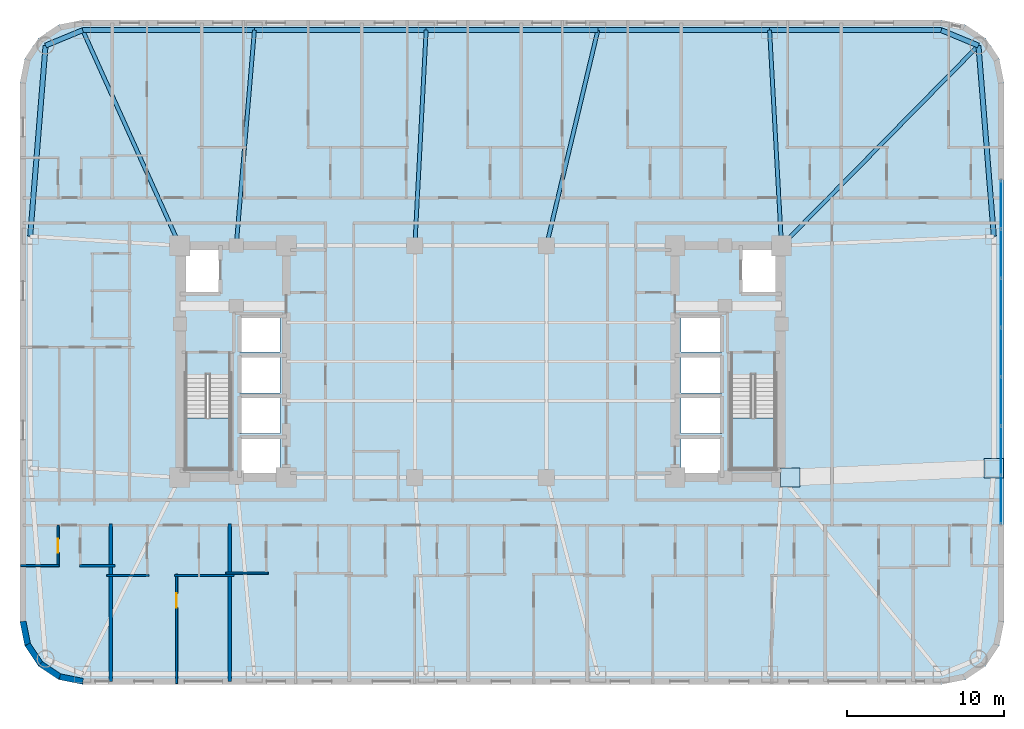
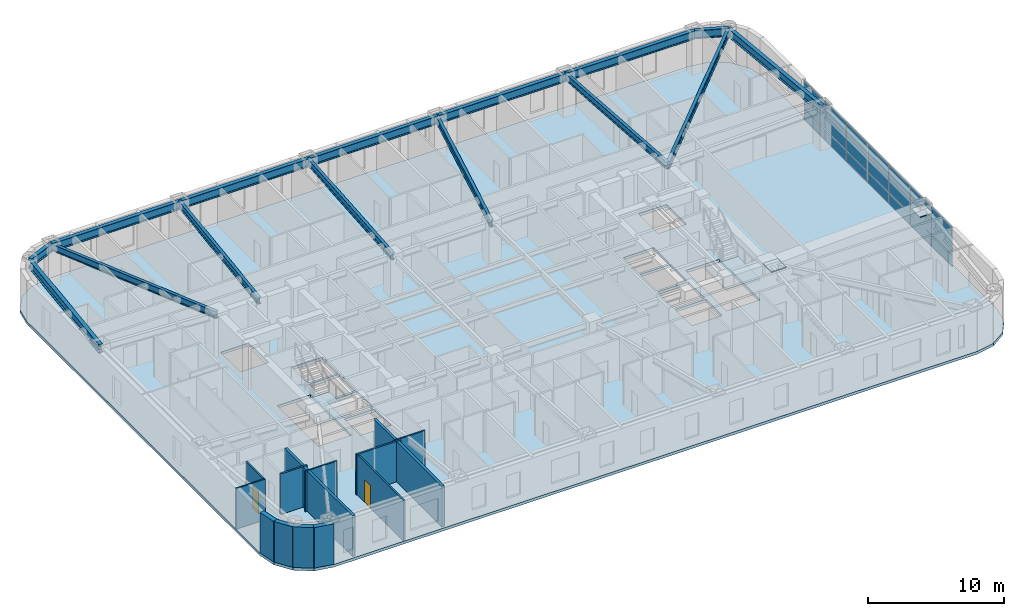
# One storey, part 6 of 16: 16 plates, 15 beams, 13 walls, 3 slabs, 2 doors, 2 openings, 3 elements without a shape of their own.
"""IFC4 building model written with IfcOpenShell, lengths in metres."""

import ifcopenshell
import ifcopenshell.guid

model = None  # the IFC model being written
_history = None  # IfcOwnerHistory: only IFC2X3 demands one
_inside = {}  # id of a spatial element -> (the spatial element, [elements in it])
_under = {}  # id of a project, library or spatial element -> (it, [spatial elements below it])
_declared = {}  # id of a project -> (the project, [libraries it declares])
_typed = {}  # id of a type object -> (the type object, [elements of that type])
_made_of = {}  # id of a material, layer set ... -> (it, [elements and type objects made of it])


def new_model(schema):
    """Start an empty IFC model of exactly this schema.

    Asked for "IFC4X3", IfcOpenShell would pick the latest addendum, in which some entities
    have other attributes; the version numbers below select the first issue.
    IFC2X3 requires an IfcOwnerHistory on every rooted entity: one is made here for all.
    """
    global model, _history
    if schema == "IFC4X3":
        model = ifcopenshell.file(schema_version=(4, 3, 0, 0))
    else:
        model = ifcopenshell.file(schema=schema)
    _inside.clear()
    _under.clear()
    _declared.clear()
    _typed.clear()
    _made_of.clear()
    _history = None
    if model.schema == "IFC2X3":
        org = make("IfcOrganization", Name="unknown")
        user = make(
            "IfcPersonAndOrganization",
            ThePerson=make("IfcPerson", FamilyName="unknown"),
            TheOrganization=org,
        )
        app = make(
            "IfcApplication",
            ApplicationDeveloper=org,
            Version="unknown",
            ApplicationFullName="unknown",
            ApplicationIdentifier="unknown",
        )
        _history = make(
            "IfcOwnerHistory",
            OwningUser=user,
            OwningApplication=app,
            ChangeAction="ADDED",
            CreationDate=0,
        )
    return model


def make(cls, **values):
    """One entity of the class cls with the attributes given. An attribute that is None is left unset."""
    return model.create_entity(
        cls, **{name: value for name, value in values.items() if value is not None}
    )


def rooted(cls, **values):
    """An entity with a GlobalId (a new one), such as an element, a storey or a relation."""
    return make(cls, GlobalId=ifcopenshell.guid.new(), OwnerHistory=_history, **values)


def si_unit(unit_type, name, prefix=None):
    """IfcSIUnit, for example si_unit("LENGTHUNIT", "METRE", prefix="MILLI")."""
    return make("IfcSIUnit", UnitType=unit_type, Prefix=prefix, Name=name)


def assignment(units):
    """IfcUnitAssignment: the units of a project."""
    return None if units is None else make("IfcUnitAssignment", Units=units)


def point(xyz):
    """IfcCartesianPoint."""
    return None if xyz is None else make("IfcCartesianPoint", Coordinates=xyz)


def direction(xyz):
    """IfcDirection."""
    return None if xyz is None else make("IfcDirection", DirectionRatios=xyz)


def frame(location, z_axis=None, x_axis=None):
    """IfcAxis2Placement3D, a coordinate frame: its origin and axes. An axis left out is left unset."""
    return make(
        "IfcAxis2Placement3D",
        Location=point(location),
        Axis=direction(z_axis),
        RefDirection=direction(x_axis),
    )


def frame_2d(location, x_axis=None):
    """IfcAxis2Placement2D, a coordinate frame in the plane: its origin and x axis."""
    return make(
        "IfcAxis2Placement2D", Location=point(location), RefDirection=direction(x_axis)
    )


def origin():
    """The frame at (0, 0, 0) with its axes left unset."""
    return frame((0.0, 0.0, 0.0))


def origin_2d():
    """The frame at (0, 0) in the plane with its x axis left unset."""
    return frame_2d((0.0, 0.0))


def place(relative_to, where):
    """IfcLocalPlacement: puts the frame where relative to a parent placement (None: the world)."""
    return make(
        "IfcLocalPlacement", PlacementRelTo=relative_to, RelativePlacement=where
    )


def context(
    kind, dimensions, precision=None, world=None, true_north=None, identifier=None
):
    """IfcGeometricRepresentationContext, for example the 3D "Model" context."""
    return make(
        "IfcGeometricRepresentationContext",
        ContextIdentifier=identifier,
        ContextType=kind,
        CoordinateSpaceDimension=dimensions,
        Precision=precision,
        WorldCoordinateSystem=world,
        TrueNorth=true_north,
    )


def subcontext(parent, identifier, kind, view, scale=None):
    """IfcGeometricRepresentationSubContext, for example "Body" below "Model"."""
    return make(
        "IfcGeometricRepresentationSubContext",
        ContextIdentifier=identifier,
        ContextType=kind,
        ParentContext=parent,
        TargetScale=scale,
        TargetView=view,
    )


def project(units=None, contexts=None):
    """IfcProject with its units and contexts."""
    return rooted(
        "IfcProject",
        Name="project",
        RepresentationContexts=contexts,
        UnitsInContext=assignment(units),
    )


def spatial(cls, under=None, at=None, **own):
    """A site, building, storey or space (cls), placed at a placement, below another one or the project."""
    s = rooted(cls, ObjectPlacement=at, **own)
    if under is not None:
        _under.setdefault(under.id(), (under, []))[1].append(s)
    return s


def polyline(points):
    """IfcPolyline through the points."""
    return make("IfcPolyline", Points=[point(p) for p in points])


def profile(cls, at=None, kind="AREA", **sizes):
    """A parametric profile (cls). Its sizes go by their IFC names, for example OverallWidth=200.0."""
    return make(cls, ProfileType=kind, Position=at, **sizes)


def rectangle(**sizes):
    """IfcRectangleProfileDef."""
    return profile("IfcRectangleProfileDef", **sizes)


def i_section(**sizes):
    """IfcIShapeProfileDef."""
    return profile("IfcIShapeProfileDef", **sizes)


def outline(outer, holes=None, kind="AREA"):
    """IfcArbitraryClosedProfileDef: a profile drawn as a closed curve; with holes, ...WithVoids."""
    if holes is None:
        return make("IfcArbitraryClosedProfileDef", ProfileType=kind, OuterCurve=outer)
    return make(
        "IfcArbitraryProfileDefWithVoids",
        ProfileType=kind,
        OuterCurve=outer,
        InnerCurves=holes,
    )


def extrude(swept, where, along, depth):
    """IfcExtrudedAreaSolid: the profile swept, set in the frame where, extruded along a direction by depth."""
    return make(
        "IfcExtrudedAreaSolid",
        SweptArea=swept,
        Position=where,
        ExtrudedDirection=direction(along),
        Depth=depth,
    )


def shape(context_of_items, identifier, shape_type, items):
    """IfcShapeRepresentation: the items that make up one representation, for example the "Body"."""
    return make(
        "IfcShapeRepresentation",
        ContextOfItems=context_of_items,
        RepresentationIdentifier=identifier,
        RepresentationType=shape_type,
        Items=items,
    )


def material(Name=None, Category=None):
    """IfcMaterial."""
    return make("IfcMaterial", Name=Name, Category=Category)


def layer(
    of_material, thickness, ventilated=None, Name=None, Category=None, Priority=None
):
    """IfcMaterialLayer: one layer of a wall or slab, of a material (None: an air gap)."""
    return make(
        "IfcMaterialLayer",
        Material=of_material,
        LayerThickness=thickness,
        IsVentilated=ventilated,
        Name=Name,
        Category=Category,
        Priority=Priority,
    )


def layer_set(layers, Name=None):
    """IfcMaterialLayerSet."""
    return make("IfcMaterialLayerSet", MaterialLayers=layers, LayerSetName=Name)


def material_profile(
    of_material, cross_section, Name=None, Category=None, Priority=None
):
    """IfcMaterialProfile: a cross section and its material."""
    return make(
        "IfcMaterialProfile",
        Name=Name,
        Material=of_material,
        Profile=cross_section,
        Priority=Priority,
        Category=Category,
    )


def profile_set(profiles, Name=None, composite=None):
    """IfcMaterialProfileSet."""
    return make(
        "IfcMaterialProfileSet",
        Name=Name,
        MaterialProfiles=profiles,
        CompositeProfile=composite,
    )


def made_of(thing, what):
    """Note that an element or type object is made of a material, layer set ...; save() writes the relation."""
    if what is not None:
        _made_of.setdefault(what.id(), (what, []))[1].append(thing)
    return thing


def type_object(cls, material=None, **own):
    """A type object (cls), such as IfcWallType, which elements share."""
    return made_of(rooted(cls, **own), material)


def element(
    cls,
    number,
    at=None,
    inside=None,
    cuts=None,
    type_object=None,
    material=None,
    context=None,
    identifier="Body",
    shape_type=None,
    held_by="IfcProductDefinitionShape",
    body=None,
    shapes=None,
    **own,
):
    """One element of the class cls, such as IfcWall. Its Tag is "e" and its number.

    at: its placement. inside: the storey or other place that contains it. cuts: it is an
    opening in that element (IfcRelVoidsElement). A single representation is given by context,
    identifier, shape_type and body (its items); several are given by shapes. held_by: the class
    of the entity that holds the representations. save() writes the other relations.
    """
    e = rooted(cls, Tag="e%d" % number, ObjectPlacement=at, **own)
    if body is not None:
        shapes = [shape(context, identifier, shape_type, body)]
    if shapes is not None:
        e.Representation = make(held_by, Representations=shapes)
    if inside is not None:
        _inside.setdefault(inside.id(), (inside, []))[1].append(e)
    if cuts is not None:
        rooted(
            "IfcRelVoidsElement", RelatingBuildingElement=cuts, RelatedOpeningElement=e
        )
    if type_object is not None:
        _typed.setdefault(type_object.id(), (type_object, []))[1].append(e)
    return made_of(e, material)


def fill(opening, filler):
    """IfcRelFillsElement: the door or window that sits in an opening."""
    return rooted(
        "IfcRelFillsElement",
        RelatingOpeningElement=opening,
        RelatedBuildingElement=filler,
    )


def aggregate(whole, parts):
    """IfcRelAggregates: a whole, such as a stair, and the parts it consists of."""
    return rooted("IfcRelAggregates", RelatingObject=whole, RelatedObjects=parts)


def save(model, path):
    """Write the relations noted so far, then the file.

    IfcRelAggregates (storeys below a building ...), IfcRelContainedInSpatialStructure (elements
    in a storey), IfcRelDefinesByType, IfcRelAssociatesMaterial and IfcRelDeclares: one each for
    every whole, place, type object, material and project.
    """
    for whole, parts in _under.values():
        aggregate(whole, parts)
    for where, things in _inside.values():
        rooted(
            "IfcRelContainedInSpatialStructure",
            RelatedElements=things,
            RelatingStructure=where,
        )
    for kind, things in _typed.values():
        rooted("IfcRelDefinesByType", RelatedObjects=things, RelatingType=kind)
    for what, things in _made_of.values():
        rooted("IfcRelAssociatesMaterial", RelatedObjects=things, RelatingMaterial=what)
    for by, libraries in _declared.values():
        rooted("IfcRelDeclares", RelatingContext=by, RelatedDefinitions=libraries)
    model.write(path)


model = new_model("IFC4")

# Units and contexts
model_context = context("Model", 3, precision=1e-05, world=origin(), true_north=direction((0.0, 1.0)))
body_context = subcontext(model_context, "Body", "Model", "MODEL_VIEW")
ifc_project = project(units=[si_unit("LENGTHUNIT", "METRE"), si_unit("AREAUNIT", "SQUARE_METRE"), si_unit("VOLUMEUNIT", "CUBIC_METRE"), si_unit("PLANEANGLEUNIT", "RADIAN"), si_unit("MASSUNIT", "GRAM", prefix="KILO")], contexts=[model_context])

# Site, building, storey
site_placement = place(None, origin())
site = spatial("IfcSite", under=ifc_project, at=site_placement, CompositionType="ELEMENT")
building_placement = place(site_placement, origin())
building = spatial("IfcBuilding", under=site, at=building_placement, Name="Voryun Gate Residences", CompositionType="ELEMENT")
storey_placement = place(building_placement, frame((0.0, 0.0, 93.60009765625)))
storey = spatial("IfcBuildingStorey", under=building, at=storey_placement, Name="L22", CompositionType="ELEMENT", Elevation=93.60009765625)

# Beams
ifc_material_1 = material(Name="Steel SM355", Category="steel")
ifc_material_profile_1 = material_profile(ifc_material_1, i_section(OverallWidth=0.320068359375, OverallDepth=0.75, WebThickness=0.01611328125, FlangeThickness=0.028076171875, FilletRadius=0.01806640625, at=origin_2d()), Name="H-750x320x16x28")
ifc_profile_set_1 = profile_set([ifc_material_profile_1], Name="Steel SM355")
beam_type_1 = type_object("IfcBeamType", Name="BM_EXO_SPANDREL_L", PredefinedType="SPANDREL", material=ifc_profile_set_1)
beam_1_placement = place(storey_placement, frame((32.75, 7.998046875, 3.27490234375), z_axis=(-0.080359517973, 0.996765944378, 0.0), x_axis=(-0.996765944378, -0.080359517973, 0.0)))
element("IfcBeam", 1, at=beam_1_placement, inside=storey, type_object=beam_type_1, Name="BM-L22-SPAND-09", PredefinedType="SPANDREL", context=body_context, shape_type="SweptSolid", body=[
    extrude(i_section(OverallWidth=0.320068359375, OverallDepth=0.75, WebThickness=0.01611328125, FlangeThickness=0.028076171875, FilletRadius=0.01806640625, at=origin_2d()), origin(), (0.0, 0.0, 1.0), 12.210205078125),
])
beam_2_placement = place(storey_placement, frame((31.768798828125, 20.168701171875, 3.27490234375), z_axis=(-0.923883376753, 0.382674151414, 0.0), x_axis=(-0.382674151414, -0.923883376753, 0.0)))
element("IfcBeam", 2, at=beam_2_placement, inside=storey, type_object=beam_type_1, Name="BM-L22-SPAND-10", PredefinedType="SPANDREL", context=body_context, shape_type="SweptSolid", body=[
    extrude(i_section(OverallWidth=0.320068359375, OverallDepth=0.75, WebThickness=0.01611328125, FlangeThickness=0.028076171875, FilletRadius=0.01806640625, at=origin_2d()), origin(), (0.0, 0.0, 1.0), 2.56396484375),
])
for number, where, z_axis, x_axis, name in (
    (3, (29.39990234375, 21.14990234375, 3.27490234375), (-1.0, 0.0, 0.0), (0.0, -1.0, 0.0), "BM-L22-SPAND-11"),
    (4, (18.43994140625, 21.14990234375, 3.27490234375), (-1.0, 0.0, 0.0), (0.0, -1.0, 0.0), "BM-L22-SPAND-12"),
    (5, (7.47998046875, 21.14990234375, 3.27490234375), (-1.0, 0.0, 0.0), (0.0, -1.0, 0.0), "BM-L22-SPAND-13"),
    (6, (-3.47998046875, 21.14990234375, 3.27490234375), (-1.0, 0.0, 0.0), (0.0, -1.0, 0.0), "BM-L22-SPAND-14"),
    (7, (-14.43994140625, 21.14990234375, 3.27490234375), (-1.0, 0.0, 0.0), (0.0, -1.0, 0.0), "BM-L22-SPAND-15"),
):
    element("IfcBeam", number, at=place(storey_placement, frame(where, z_axis=z_axis, x_axis=x_axis)), inside=storey, type_object=beam_type_1, Name=name, PredefinedType="SPANDREL", context=body_context, shape_type="SweptSolid", body=[
        extrude(i_section(OverallWidth=0.320068359375, OverallDepth=0.75, WebThickness=0.01611328125, FlangeThickness=0.028076171875, FilletRadius=0.01806640625, at=origin_2d()), origin(), (0.0, 0.0, 1.0), 10.9599609375),
    ])
beam_3_placement = place(storey_placement, frame((-25.39990234375, 21.14990234375, 3.27490234375), z_axis=(-0.923883376753, -0.382674151414, 0.0), x_axis=(0.382674151414, -0.923883376753, 0.0)))
element("IfcBeam", 8, at=beam_3_placement, inside=storey, type_object=beam_type_1, Name="BM-L22-SPAND-16", PredefinedType="SPANDREL", context=body_context, shape_type="SweptSolid", body=[
    extrude(i_section(OverallWidth=0.320068359375, OverallDepth=0.75, WebThickness=0.01611328125, FlangeThickness=0.028076171875, FilletRadius=0.01806640625, at=origin_2d()), origin(), (0.0, 0.0, 1.0), 2.56396484375),
])
beam_4_placement = place(storey_placement, frame((-27.768798828125, 20.168701171875, 3.27490234375), z_axis=(-0.080359517973, -0.996765944378, 0.0), x_axis=(0.996765944378, -0.080359517973, 0.0)))
element("IfcBeam", 9, at=beam_4_placement, inside=storey, type_object=beam_type_1, Name="BM-L22-SPAND-17", PredefinedType="SPANDREL", context=body_context, shape_type="SweptSolid", body=[
    extrude(i_section(OverallWidth=0.320068359375, OverallDepth=0.75, WebThickness=0.01611328125, FlangeThickness=0.028076171875, FilletRadius=0.01806640625, at=origin_2d()), origin(), (0.0, 0.0, 1.0), 12.210205078125),
])
ifc_material_2 = material(Name="Steel SM355", Category="steel")
ifc_material_profile_2 = material_profile(ifc_material_2, i_section(OverallWidth=0.25, OverallDepth=0.60009765625, WebThickness=0.011962890625, FlangeThickness=0.02197265625, FilletRadius=0.01806640625, at=origin_2d()), Name="H-600x250x12x22")
ifc_profile_set_2 = profile_set([ifc_material_profile_2], Name="Steel SM355")
beam_type_2 = type_object("IfcBeamType", Name="BM_GIRD_600", PredefinedType="USERDEFINED", material=ifc_profile_set_2)
beam_5_placement = place(storey_placement, frame((19.199951171875, 7.39990234375, 3.349853515625), z_axis=(0.701504829324, 0.712664699866, 0.0), x_axis=(-0.712664699866, 0.701504829324, 0.0)))
element("IfcBeam", 10, at=beam_5_placement, inside=storey, type_object=beam_type_2, Name="BM-L22-RAD-CNE", ObjectType="GIRDER", PredefinedType="USERDEFINED", context=body_context, shape_type="SweptSolid", body=[
    extrude(i_section(OverallWidth=0.25, OverallDepth=0.60009765625, WebThickness=0.011962890625, FlangeThickness=0.02197265625, FilletRadius=0.01806640625, at=origin_2d()), origin(), (0.0, 0.0, 1.0), 17.9169921875),
])
beam_6_placement = place(storey_placement, frame((19.199951171875, 7.39990234375, 3.349853515625), z_axis=(-0.055189196078, 0.9984759149, 0.0), x_axis=(-0.9984759149, -0.055189196078, 0.0)))
element("IfcBeam", 11, at=beam_6_placement, inside=storey, type_object=beam_type_2, Name="BM-L22-RAD-N2", ObjectType="GIRDER", PredefinedType="USERDEFINED", context=body_context, shape_type="SweptSolid", body=[
    extrude(i_section(OverallWidth=0.25, OverallDepth=0.60009765625, WebThickness=0.011962890625, FlangeThickness=0.02197265625, FilletRadius=0.01806640625, at=origin_2d()), origin(), (0.0, 0.0, 1.0), 13.77099609375),
])
beam_7_placement = place(storey_placement, frame((4.199951171875, 7.39990234375, 3.349853515625), z_axis=(0.232036902087, 0.972706983665, 0.0), x_axis=(-0.972706983665, 0.232036902087, 0.0)))
element("IfcBeam", 12, at=beam_7_placement, inside=storey, type_object=beam_type_2, Name="BM-L22-RAD-N3", ObjectType="GIRDER", PredefinedType="USERDEFINED", context=body_context, shape_type="SweptSolid", body=[
    extrude(i_section(OverallWidth=0.25, OverallDepth=0.60009765625, WebThickness=0.011962890625, FlangeThickness=0.02197265625, FilletRadius=0.01806640625, at=origin_2d()), origin(), (0.0, 0.0, 1.0), 14.1357421875),
])
beam_8_placement = place(storey_placement, frame((-4.199951171875, 7.39990234375, 3.349853515625), z_axis=(0.052289872463, 0.998631948837, 0.0), x_axis=(-0.998631948837, 0.052289872463, 0.0)))
element("IfcBeam", 13, at=beam_8_placement, inside=storey, type_object=beam_type_2, Name="BM-L22-RAD-N4", ObjectType="GIRDER", PredefinedType="USERDEFINED", context=body_context, shape_type="SweptSolid", body=[
    extrude(i_section(OverallWidth=0.25, OverallDepth=0.60009765625, WebThickness=0.011962890625, FlangeThickness=0.02197265625, FilletRadius=0.01806640625, at=origin_2d()), origin(), (0.0, 0.0, 1.0), 13.768798828125),
])
beam_9_placement = place(storey_placement, frame((-15.60009765625, 7.39990234375, 3.349853515625), z_axis=(0.084076255415, 0.996459323442, 0.0), x_axis=(-0.996459323442, 0.084076255415, 0.0)))
element("IfcBeam", 14, at=beam_9_placement, inside=storey, type_object=beam_type_2, Name="BM-L22-RAD-N5", ObjectType="GIRDER", PredefinedType="USERDEFINED", context=body_context, shape_type="SweptSolid", body=[
    extrude(i_section(OverallWidth=0.25, OverallDepth=0.60009765625, WebThickness=0.011962890625, FlangeThickness=0.02197265625, FilletRadius=0.01806640625, at=origin_2d()), origin(), (0.0, 0.0, 1.0), 13.798828125),
])
beam_10_placement = place(storey_placement, frame((-19.199951171875, 7.39990234375, 3.349853515625), z_axis=(-0.411051048554, 0.911612327408, 0.0), x_axis=(-0.911612327408, -0.411051048554, 0.0)))
element("IfcBeam", 15, at=beam_10_placement, inside=storey, type_object=beam_type_2, Name="BM-L22-RAD-N6", ObjectType="GIRDER", PredefinedType="USERDEFINED", context=body_context, shape_type="SweptSolid", body=[
    extrude(i_section(OverallWidth=0.25, OverallDepth=0.60009765625, WebThickness=0.011962890625, FlangeThickness=0.02197265625, FilletRadius=0.01806640625, at=origin_2d()), origin(), (0.0, 0.0, 1.0), 15.083251953125),
])

# Plates
ifc_material_3 = material(Name="Steel SM355", Category="steel")
ifc_layer_1 = layer(ifc_material_3, 0.02490234375, Name="PLT_END_CAP_25")
ifc_layer_set_1 = layer_set([ifc_layer_1], Name="Steel SM355")
plate_type_1 = type_object("IfcPlateType", Name="PLT_END_CAP_25", PredefinedType="USERDEFINED", material=ifc_layer_set_1)
for number, where, z_axis, x_axis, name in (
    (16, (19.75, -7.39990234375, 3.059814453125), (0.0, 0.0, 1.0), (1.0, 0.0, 0.0), "L22 Hollow Member End-Cap Plate EC-370"),
    (17, (32.75, -6.798095703125, 3.059814453125), (0.0, 0.0, 1.0), (1.0, 0.0, 0.0), "L22 Hollow Member End-Cap Plate EC-371"),
):
    element("IfcPlate", number, at=place(storey_placement, frame(where, z_axis=z_axis, x_axis=x_axis)), inside=storey, type_object=plate_type_1, Name=name, ObjectType="BASE_PLATE", PredefinedType="USERDEFINED", context=body_context, shape_type="SweptSolid", body=[
        extrude(rectangle(XDim=1.239990234375, YDim=1.239990234375, at=origin_2d()), origin(), (0.0, 0.0, 1.0), 0.080078125),
    ])

# Curtain wall, plates
ifc_material_4 = material(Name="Anodised aluminium", Category="aluminium")
ifc_layer_2 = layer(ifc_material_4, 0.2099609375, Name="CW_SYS_SKYGARDEN_DARK_GLASS")
ifc_layer_set_2 = layer_set([ifc_layer_2], Name="Anodised aluminium")
curtain_wall_type = type_object("IfcCurtainWallType", Name="CW_SYS_SKYGARDEN_DARK_GLASS", PredefinedType="NOTDEFINED", material=ifc_layer_set_2)
curtain_wall_placement = place(storey_placement, origin())
curtain_wall = element("IfcCurtainWall", 18, at=curtain_wall_placement, inside=storey, type_object=curtain_wall_type, Name="Curtain wall CW5-L22-SG-16", PredefinedType="NOTDEFINED")
ifc_material_5 = material(Name="Laminated low-E glass", Category="glass")
ifc_layer_3 = layer(ifc_material_5, 0.0458984375, Name="PLT_GLASS_DARK_SKY")
ifc_layer_set_3 = layer_set([ifc_layer_3], Name="Laminated low-E glass")
plate_type_2 = type_object("IfcPlateType", Name="PLT_GLASS_DARK_SKY", PredefinedType="CURTAIN_PANEL", material=ifc_layer_set_3)
plate_1_placement = place(storey_placement, frame((33.2099609375, 10.01025390625, 0.059814453125), z_axis=(0.0, 0.0, 1.0), x_axis=(0.0, -1.0, 0.0)))
plate_1 = element("IfcPlate", 19, at=plate_1_placement, type_object=plate_type_2, Name="CW5 panel 1.1", PredefinedType="CURTAIN_PANEL", context=body_context, shape_type="SweptSolid", body=[
    extrude(rectangle(XDim=3.0517578125, YDim=0.028076171875, at=origin_2d()), origin(), (0.0, 0.0, 1.0), 0.9599609375),
])
plate_2_placement = place(storey_placement, frame((33.2099609375, 10.01025390625, 1.080078125), z_axis=(0.0, 0.0, 1.0), x_axis=(0.0, -1.0, 0.0)))
plate_2 = element("IfcPlate", 20, at=plate_2_placement, type_object=plate_type_2, Name="CW5 panel 1.2", PredefinedType="CURTAIN_PANEL", context=body_context, shape_type="SweptSolid", body=[
    extrude(rectangle(XDim=3.0517578125, YDim=0.028076171875, at=origin_2d()), origin(), (0.0, 0.0, 1.0), 2.510009765625),
])
plate_3_placement = place(storey_placement, frame((33.2099609375, 6.883544921875, 0.059814453125), z_axis=(0.0, 0.0, 1.0), x_axis=(0.0, -1.0, 0.0)))
plate_3 = element("IfcPlate", 21, at=plate_3_placement, type_object=plate_type_2, Name="CW5 panel 2.1", PredefinedType="CURTAIN_PANEL", context=body_context, shape_type="SweptSolid", body=[
    extrude(rectangle(XDim=3.081787109375, YDim=0.028076171875, at=origin_2d()), origin(), (0.0, 0.0, 1.0), 0.9599609375),
])
plate_4_placement = place(storey_placement, frame((33.2099609375, 6.883544921875, 1.080078125), z_axis=(0.0, 0.0, 1.0), x_axis=(0.0, -1.0, 0.0)))
plate_4 = element("IfcPlate", 22, at=plate_4_placement, type_object=plate_type_2, Name="CW5 panel 2.2", PredefinedType="CURTAIN_PANEL", context=body_context, shape_type="SweptSolid", body=[
    extrude(rectangle(XDim=3.081787109375, YDim=0.028076171875, at=origin_2d()), origin(), (0.0, 0.0, 1.0), 2.510009765625),
])
plate_5_placement = place(storey_placement, frame((33.2099609375, 3.74169921875, 0.059814453125), z_axis=(0.0, 0.0, 1.0), x_axis=(0.0, -1.0, 0.0)))
plate_5 = element("IfcPlate", 23, at=plate_5_placement, type_object=plate_type_2, Name="CW5 panel 3.1", PredefinedType="CURTAIN_PANEL", context=body_context, shape_type="SweptSolid", body=[
    extrude(rectangle(XDim=3.081787109375, YDim=0.028076171875, at=origin_2d()), origin(), (0.0, 0.0, 1.0), 0.9599609375),
])
plate_6_placement = place(storey_placement, frame((33.2099609375, 3.74169921875, 1.080078125), z_axis=(0.0, 0.0, 1.0), x_axis=(0.0, -1.0, 0.0)))
plate_6 = element("IfcPlate", 24, at=plate_6_placement, type_object=plate_type_2, Name="CW5 panel 3.2", PredefinedType="CURTAIN_PANEL", context=body_context, shape_type="SweptSolid", body=[
    extrude(rectangle(XDim=3.081787109375, YDim=0.028076171875, at=origin_2d()), origin(), (0.0, 0.0, 1.0), 2.510009765625),
])
plate_7_placement = place(storey_placement, frame((33.2099609375, 0.60009765625, 0.059814453125), z_axis=(0.0, 0.0, 1.0), x_axis=(0.0, -1.0, 0.0)))
plate_7 = element("IfcPlate", 25, at=plate_7_placement, type_object=plate_type_2, Name="CW5 panel 4.1", PredefinedType="CURTAIN_PANEL", context=body_context, shape_type="SweptSolid", body=[
    extrude(rectangle(XDim=3.081787109375, YDim=0.028076171875, at=origin_2d()), origin(), (0.0, 0.0, 1.0), 0.9599609375),
])
plate_8_placement = place(storey_placement, frame((33.2099609375, 0.60009765625, 1.080078125), z_axis=(0.0, 0.0, 1.0), x_axis=(0.0, -1.0, 0.0)))
plate_8 = element("IfcPlate", 26, at=plate_8_placement, type_object=plate_type_2, Name="CW5 panel 4.2", PredefinedType="CURTAIN_PANEL", context=body_context, shape_type="SweptSolid", body=[
    extrude(rectangle(XDim=3.081787109375, YDim=0.028076171875, at=origin_2d()), origin(), (0.0, 0.0, 1.0), 2.510009765625),
])
plate_9_placement = place(storey_placement, frame((33.2099609375, -2.541748046875, 0.059814453125), z_axis=(0.0, 0.0, 1.0), x_axis=(0.0, -1.0, 0.0)))
plate_9 = element("IfcPlate", 27, at=plate_9_placement, type_object=plate_type_2, Name="CW5 panel 5.1", PredefinedType="CURTAIN_PANEL", context=body_context, shape_type="SweptSolid", body=[
    extrude(rectangle(XDim=3.081787109375, YDim=0.028076171875, at=origin_2d()), origin(), (0.0, 0.0, 1.0), 0.9599609375),
])
plate_10_placement = place(storey_placement, frame((33.2099609375, -2.541748046875, 1.080078125), z_axis=(0.0, 0.0, 1.0), x_axis=(0.0, -1.0, 0.0)))
plate_10 = element("IfcPlate", 28, at=plate_10_placement, type_object=plate_type_2, Name="CW5 panel 5.2", PredefinedType="CURTAIN_PANEL", context=body_context, shape_type="SweptSolid", body=[
    extrude(rectangle(XDim=3.081787109375, YDim=0.028076171875, at=origin_2d()), origin(), (0.0, 0.0, 1.0), 2.510009765625),
])
plate_11_placement = place(storey_placement, frame((33.2099609375, -5.683349609375, 0.059814453125), z_axis=(0.0, 0.0, 1.0), x_axis=(0.0, -1.0, 0.0)))
plate_11 = element("IfcPlate", 29, at=plate_11_placement, type_object=plate_type_2, Name="CW5 panel 6.1", PredefinedType="CURTAIN_PANEL", context=body_context, shape_type="SweptSolid", body=[
    extrude(rectangle(XDim=3.081787109375, YDim=0.028076171875, at=origin_2d()), origin(), (0.0, 0.0, 1.0), 0.9599609375),
])
plate_12_placement = place(storey_placement, frame((33.2099609375, -5.683349609375, 1.080078125), z_axis=(0.0, 0.0, 1.0), x_axis=(0.0, -1.0, 0.0)))
plate_12 = element("IfcPlate", 30, at=plate_12_placement, type_object=plate_type_2, Name="CW5 panel 6.2", PredefinedType="CURTAIN_PANEL", context=body_context, shape_type="SweptSolid", body=[
    extrude(rectangle(XDim=3.081787109375, YDim=0.028076171875, at=origin_2d()), origin(), (0.0, 0.0, 1.0), 2.510009765625),
])
plate_13_placement = place(storey_placement, frame((33.2099609375, -8.81005859375, 0.059814453125), z_axis=(0.0, 0.0, 1.0), x_axis=(0.0, -1.0, 0.0)))
plate_13 = element("IfcPlate", 31, at=plate_13_placement, type_object=plate_type_2, Name="CW5 panel 7.1", PredefinedType="CURTAIN_PANEL", context=body_context, shape_type="SweptSolid", body=[
    extrude(rectangle(XDim=3.0517578125, YDim=0.028076171875, at=origin_2d()), origin(), (0.0, 0.0, 1.0), 0.9599609375),
])
plate_14_placement = place(storey_placement, frame((33.2099609375, -8.81005859375, 1.080078125), z_axis=(0.0, 0.0, 1.0), x_axis=(0.0, -1.0, 0.0)))
plate_14 = element("IfcPlate", 32, at=plate_14_placement, type_object=plate_type_2, Name="CW5 panel 7.2", PredefinedType="CURTAIN_PANEL", context=body_context, shape_type="SweptSolid", body=[
    extrude(rectangle(XDim=3.0517578125, YDim=0.028076171875, at=origin_2d()), origin(), (0.0, 0.0, 1.0), 2.510009765625),
])
aggregate(curtain_wall, [plate_1, plate_2, plate_3, plate_4, plate_5, plate_6, plate_7, plate_8, plate_9, plate_10, plate_11, plate_12, plate_13, plate_14])

# Slab
ifc_material_6 = material(Name="Concrete C40/50", Category="concrete")
ifc_layer_4 = layer(ifc_material_6, 0.25, Name="SLB_RES_250")
ifc_layer_set_4 = layer_set([ifc_layer_4], Name="Concrete C40/50")
slab_type_1 = type_object("IfcSlabType", Name="SLB_RES_250", PredefinedType="FLOOR", material=ifc_layer_set_4)
slab_1_placement = place(storey_placement, frame((0.0, 0.0, -0.25)))
element("IfcSlab", 33, at=slab_1_placement, inside=storey, type_object=slab_type_1, Name="L22 Structural Floor Slab", PredefinedType="FLOOR", context=body_context, shape_type="SweptSolid", body=[
    extrude(outline(polyline([(-25.39990234375, -20.60009765625), (-26.9306640625, -20.29541015625), (-28.228515625, -19.428466796875), (-29.095458984375, -18.130615234375), (-29.39990234375, -16.60009765625), (-29.39990234375, 17.800048828125), (-29.095458984375, 19.330810546875), (-28.228515625, 20.62841796875), (-26.9306640625, 21.49560546875), (-25.39990234375, 21.800048828125), (29.39990234375, 21.800048828125), (30.9306640625, 21.49560546875), (32.228515625, 20.62841796875), (33.095458984375, 19.330810546875), (33.39990234375, 17.800048828125), (33.39990234375, -16.60009765625), (33.095458984375, -18.130615234375), (32.228515625, -19.428466796875), (30.9306640625, -20.29541015625), (29.39990234375, -20.60009765625), (-25.39990234375, -20.60009765625)]), holes=[polyline([(-12.800048828125, -4.800048828125), (-15.39990234375, -4.800048828125), (-15.39990234375, -7.199951171875), (-12.800048828125, -7.199951171875), (-12.800048828125, -4.800048828125)]), polyline([(-18.824951171875, -6.85009765625), (-15.97509765625, -6.85009765625), (-15.97509765625, -0.840087890625), (-18.824951171875, -0.840087890625), (-18.824951171875, -6.85009765625)]), polyline([(-12.800048828125, -4.60009765625), (-12.800048828125, -2.199951171875), (-15.39990234375, -2.199951171875), (-15.39990234375, -4.60009765625), (-12.800048828125, -4.60009765625)]), polyline([(-12.800048828125, 0.39990234375), (-15.39990234375, 0.39990234375), (-15.39990234375, -2.0), (-12.800048828125, -2.0), (-12.800048828125, 0.39990234375)]), polyline([(-12.800048828125, 0.60009765625), (-12.800048828125, 2.89990234375), (-15.39990234375, 2.89990234375), (-15.39990234375, 0.60009765625), (-12.800048828125, 0.60009765625)]), polyline([(-16.60009765625, 4.300048828125), (-16.60009765625, 7.199951171875), (-19.0, 7.199951171875), (-19.0, 4.300048828125), (-16.60009765625, 4.300048828125)]), polyline([(15.39990234375, -4.800048828125), (12.800048828125, -4.800048828125), (12.800048828125, -7.199951171875), (15.39990234375, -7.199951171875), (15.39990234375, -4.800048828125)]), polyline([(15.97509765625, -6.85009765625), (18.824951171875, -6.85009765625), (18.824951171875, -0.840087890625), (15.97509765625, -0.840087890625), (15.97509765625, -6.85009765625)]), polyline([(15.39990234375, -4.60009765625), (15.39990234375, -2.199951171875), (12.800048828125, -2.199951171875), (12.800048828125, -4.60009765625), (15.39990234375, -4.60009765625)]), polyline([(15.39990234375, 0.39990234375), (12.800048828125, 0.39990234375), (12.800048828125, -2.0), (15.39990234375, -2.0), (15.39990234375, 0.39990234375)]), polyline([(15.39990234375, 0.60009765625), (15.39990234375, 2.89990234375), (12.800048828125, 2.89990234375), (12.800048828125, 0.60009765625), (15.39990234375, 0.60009765625)]), polyline([(19.0, 4.300048828125), (19.0, 7.199951171875), (16.60009765625, 7.199951171875), (16.60009765625, 4.300048828125), (19.0, 4.300048828125)])]), origin(), (0.0, 0.0, 1.0), 0.25),
])

# Stair, slab
ifc_material_7 = material(Name="Concrete C40/50", Category="concrete")
stair_type = type_object("IfcStairType", Name="STR_CORE_DOGLEG_1350", PredefinedType="HALF_TURN_STAIR", material=ifc_material_7)
stair_1_placement = place(storey_placement, origin())
stair_1 = element("IfcStair", 34, at=stair_1_placement, inside=storey, type_object=stair_type, Name="L22 Special Escape Stair ST-W1", PredefinedType="HALF_TURN_STAIR")
ifc_material_8 = material(Name="Concrete C40/50", Category="concrete")
ifc_layer_5 = layer(ifc_material_8, 0.199951171875, Name="SLB_STAIR_LANDING_200")
ifc_layer_set_5 = layer_set([ifc_layer_5], Name="Concrete C40/50")
slab_type_2 = type_object("IfcSlabType", Name="SLB_STAIR_LANDING_200", PredefinedType="LANDING", material=ifc_layer_set_5)
slab_2_placement = place(storey_placement, frame((0.0, 0.0, 1.75)))
slab_2 = element("IfcSlab", 35, at=slab_2_placement, type_object=slab_type_2, Name="ST-W1 landing 1", PredefinedType="LANDING", context=body_context, shape_type="SweptSolid", body=[
    extrude(outline(polyline([(-18.824951171875, -3.60009765625), (-18.824951171875, -6.85009765625), (-15.97509765625, -6.85009765625), (-15.97509765625, -3.60009765625), (-18.824951171875, -3.60009765625)])), origin(), (0.0, 0.0, 1.0), 0.199951171875),
])
aggregate(stair_1, [slab_2])

stair_2_placement = place(storey_placement, origin())
stair_2 = element("IfcStair", 36, at=stair_2_placement, inside=storey, type_object=stair_type, Name="L22 Special Escape Stair ST-E1", PredefinedType="HALF_TURN_STAIR")
slab_3_placement = place(storey_placement, frame((0.0, 0.0, 1.75)))
slab_3 = element("IfcSlab", 37, at=slab_3_placement, type_object=slab_type_2, Name="ST-E1 landing 1", PredefinedType="LANDING", context=body_context, shape_type="SweptSolid", body=[
    extrude(outline(polyline([(15.97509765625, -3.60009765625), (15.97509765625, -6.85009765625), (18.824951171875, -6.85009765625), (18.824951171875, -3.60009765625), (15.97509765625, -3.60009765625)])), origin(), (0.0, 0.0, 1.0), 0.199951171875),
])
aggregate(stair_2, [slab_3])

# Walls
ifc_material_9 = material(Name="Granite masonry", Category="masonry")
ifc_layer_6 = layer(ifc_material_9, 0.3798828125, Name="W_EXT_GRANITE_380")
ifc_layer_set_6 = layer_set([ifc_layer_6], Name="Granite masonry")
wall_type_1 = type_object("IfcWallType", Name="W_EXT_GRANITE_380", PredefinedType="ELEMENTEDWALL", material=ifc_layer_set_6)
wall_1_placement = place(storey_placement, frame((-25.38134765625, -20.409912109375, 0.0), z_axis=(0.0, 0.0, 1.0), x_axis=(-0.980786132421, 0.195086038585, 0.0)))
element("IfcWall", 38, at=wall_1_placement, inside=storey, type_object=wall_type_1, Name="Exterior wall WEXT-L22-02", PredefinedType="ELEMENTEDWALL", context=body_context, shape_type="SweptSolid", body=[
    extrude(rectangle(XDim=1.504150390625, YDim=0.3798828125, at=frame_2d((0.751953125, 0.0))), origin(), (0.0, 0.0, 1.0), 3.64990234375),
])
wall_2_placement = place(storey_placement, frame((-26.856689453125, -20.116455078125, 0.0), z_axis=(0.0, 0.0, 1.0), x_axis=(-0.831468045563, 0.555572577804, 0.0)))
element("IfcWall", 39, at=wall_2_placement, inside=storey, type_object=wall_type_1, Name="Exterior wall WEXT-L22-03", PredefinedType="ELEMENTEDWALL", context=body_context, shape_type="SweptSolid", body=[
    extrude(rectangle(XDim=1.48486328125, YDim=0.3798828125, at=frame_2d((0.742431640625, 0.0))), origin(), (0.0, 0.0, 1.0), 3.64990234375),
])
wall_3_placement = place(storey_placement, frame((-28.09130859375, -19.29150390625, 0.0), z_axis=(0.0, 0.0, 1.0), x_axis=(-0.555610286119, 0.831442848281, 0.0)))
element("IfcWall", 40, at=wall_3_placement, inside=storey, type_object=wall_type_1, Name="Exterior wall WEXT-L22-04", PredefinedType="ELEMENTEDWALL", context=body_context, shape_type="SweptSolid", body=[
    extrude(rectangle(XDim=1.485107421875, YDim=0.3798828125, at=frame_2d((0.74267578125, 0.0))), origin(), (0.0, 0.0, 1.0), 3.64990234375),
])
wall_4_placement = place(storey_placement, frame((-28.91650390625, -18.056640625, 0.0), z_axis=(0.0, 0.0, 1.0), x_axis=(-0.195086038585, 0.980786132421, 0.0)))
element("IfcWall", 41, at=wall_4_placement, inside=storey, type_object=wall_type_1, Name="Exterior wall WEXT-L22-05", PredefinedType="ELEMENTEDWALL", context=body_context, shape_type="SweptSolid", body=[
    extrude(rectangle(XDim=1.504150390625, YDim=0.3798828125, at=frame_2d((0.751953125, 0.0))), origin(), (0.0, 0.0, 1.0), 3.64990234375),
])
ifc_material_10 = material(Name="Concrete C40/50", Category="concrete")
ifc_layer_7 = layer(ifc_material_10, 0.219970703125, Name="W_PARTY_ACOUSTIC_220")
ifc_layer_set_7 = layer_set([ifc_layer_7], Name="Concrete C40/50")
wall_type_2 = type_object("IfcWallType", Name="W_PARTY_ACOUSTIC_220", PredefinedType="PARTITIONING", material=ifc_layer_set_7)
for number, where, z_axis, x_axis, name in (
    (42, (-23.60009765625, -20.409912109375, 0.0), (0.0, 0.0, 1.0), (0.0, 1.0, 0.0), "Partition wall WP-L22-SPTY-1"),
    (43, (-16.0, -20.409912109375, 0.0), (0.0, 0.0, 1.0), (0.0, 1.0, 0.0), "Partition wall WP-L22-SPTY-2"),
):
    element("IfcWall", number, at=place(storey_placement, frame(where, z_axis=z_axis, x_axis=x_axis)), inside=storey, type_object=wall_type_2, Name=name, PredefinedType="PARTITIONING", context=body_context, shape_type="SweptSolid", body=[
        extrude(rectangle(XDim=10.039794921875, YDim=0.219970703125, at=frame_2d((5.02001953125, 0.0))), origin(), (0.0, 0.0, 1.0), 3.64990234375),
    ])

# Wall, opening, door
ifc_material_11 = material(Name="Gypsum acoustic partition")
ifc_layer_8 = layer(ifc_material_11, 0.125, Name="W_UNIT_PART_125")
ifc_layer_set_8 = layer_set([ifc_layer_8], Name="Gypsum acoustic partition")
wall_type_3 = type_object("IfcWallType", Name="W_UNIT_PART_125", PredefinedType="PARTITIONING", material=ifc_layer_set_8)
wall_5_placement = place(storey_placement, frame((-26.968017578125, -13.080078125, 0.0), z_axis=(0.0, 0.0, 1.0), x_axis=(0.0, 1.0, 0.0)))
wall_5 = element("IfcWall", 44, at=wall_5_placement, inside=storey, type_object=wall_type_3, Name="Partition wall WP-L22-S1-CVK", PredefinedType="PARTITIONING", context=body_context, shape_type="SweptSolid", body=[
    extrude(rectangle(XDim=2.650146484375, YDim=0.125, at=frame_2d((1.3251953125, 0.0))), origin(), (0.0, 0.0, 1.0), 3.64990234375),
])
opening_1_placement = place(wall_5_placement, frame((0.875, 0.0, 0.0)))
opening_1 = element("IfcOpeningElement", 45, at=opening_1_placement, cuts=wall_5, Name="Opening D-INT-2", PredefinedType="OPENING", context=body_context, shape_type="SweptSolid", body=[
    extrude(rectangle(XDim=0.89990234375, YDim=2.050048828125, at=frame_2d((0.449951171875, 1.02490234375))), frame((0.0, 0.072509765625, 0.0), z_axis=(0.0, -1.0, 0.0), x_axis=(1.0, 0.0, 0.0)), (0.0, 0.0, 1.0), 0.14501953125),
])
ifc_material_12 = material(Name="Architectural oak veneer")
door_type = type_object("IfcDoorType", Name="DR_INT_BATH_900", OperationType="NOTDEFINED", PredefinedType="DOOR", material=ifc_material_12)
door_1_placement = place(opening_1_placement, origin())
door_1 = element("IfcDoor", 46, at=door_1_placement, inside=storey, type_object=door_type, Name="Door DR-L22-S1-DK", OperationType="SINGLE_SWING_LEFT", OverallHeight=2.050048828125, OverallWidth=0.89990234375, PredefinedType="DOOR", context=body_context, shape_type="SweptSolid", body=[
    extrude(rectangle(XDim=0.89990234375, YDim=2.050048828125, at=frame_2d((0.449951171875, 1.02490234375))), frame((0.0, 0.02490234375, 0.0), z_axis=(0.0, -1.0, 0.0), x_axis=(1.0, 0.0, 0.0)), (0.0, 0.0, 1.0), 0.050048828125),
])
fill(opening_1, door_1)

# Wall
wall_6_placement = place(storey_placement, frame((-29.360107421875, -13.02001953125, 0.0), z_axis=(0.0, 0.0, 1.0), x_axis=(1.0, 0.0, 0.0)))
element("IfcWall", 47, at=wall_6_placement, inside=storey, type_object=wall_type_3, Name="Partition wall WP-L22-S1-CHK", PredefinedType="PARTITIONING", context=body_context, shape_type="SweptSolid", body=[
    extrude(rectangle(XDim=2.4521484375, YDim=0.125, at=frame_2d((1.22607421875, 0.0))), origin(), (0.0, 0.0, 1.0), 3.64990234375),
])

# Wall, opening, door
wall_7_placement = place(storey_placement, frame((-19.409912109375, -20.56005859375, 0.0), z_axis=(0.0, 0.0, 1.0), x_axis=(0.0, 1.0, 0.0)))
wall_7 = element("IfcWall", 48, at=wall_7_placement, inside=storey, type_object=wall_type_3, Name="Partition wall WP-L22-S2-OVR", PredefinedType="PARTITIONING", context=body_context, shape_type="SweptSolid", body=[
    extrude(rectangle(XDim=6.987060546875, YDim=0.125, at=frame_2d((3.49365234375, 0.0))), origin(), (0.0, 0.0, 1.0), 3.64990234375),
])
opening_2_placement = place(wall_7_placement, frame((4.860107421875, 0.0, 0.0)))
opening_2 = element("IfcOpeningElement", 49, at=opening_2_placement, cuts=wall_7, Name="Opening D-INT-2", PredefinedType="OPENING", context=body_context, shape_type="SweptSolid", body=[
    extrude(rectangle(XDim=0.89990234375, YDim=2.050048828125, at=frame_2d((0.449951171875, 1.02490234375))), frame((0.0, 0.072509765625, 0.0), z_axis=(0.0, -1.0, 0.0), x_axis=(1.0, 0.0, 0.0)), (0.0, 0.0, 1.0), 0.14501953125),
])
door_2_placement = place(opening_2_placement, origin())
door_2 = element("IfcDoor", 50, at=door_2_placement, inside=storey, type_object=door_type, Name="Door DR-L22-S2-DMB", OperationType="SINGLE_SWING_RIGHT", OverallHeight=2.050048828125, OverallWidth=0.89990234375, PredefinedType="DOOR", context=body_context, shape_type="SweptSolid", body=[
    extrude(rectangle(XDim=0.89990234375, YDim=2.050048828125, at=frame_2d((0.449951171875, 1.02490234375))), frame((0.0, 0.02490234375, 0.0), z_axis=(0.0, -1.0, 0.0), x_axis=(1.0, 0.0, 0.0)), (0.0, 0.0, 1.0), 0.050048828125),
])
fill(opening_2, door_2)

# Walls
wall_8_placement = place(storey_placement, frame((-23.860107421875, -13.653076171875, 0.0), z_axis=(0.0, 0.0, 1.0), x_axis=(1.0, 0.0, 0.0)))
element("IfcWall", 51, at=wall_8_placement, inside=storey, type_object=wall_type_3, Name="Partition wall WP-L22-S2-HZK", PredefinedType="PARTITIONING", context=body_context, shape_type="SweptSolid", body=[
    extrude(rectangle(XDim=2.690185546875, YDim=0.125, at=frame_2d((1.34521484375, 0.0))), origin(), (0.0, 0.0, 1.0), 3.64990234375),
])
wall_9_placement = place(storey_placement, frame((-16.260009765625, -13.50390625, 0.0), z_axis=(0.0, 0.0, 1.0), x_axis=(1.0, 0.0, 0.0)))
element("IfcWall", 52, at=wall_9_placement, inside=storey, type_object=wall_type_3, Name="Partition wall WP-L22-S3-HZK", PredefinedType="PARTITIONING", context=body_context, shape_type="SweptSolid", body=[
    extrude(rectangle(XDim=2.68994140625, YDim=0.125, at=frame_2d((1.344970703125, 0.0))), origin(), (0.0, 0.0, 1.0), 3.64990234375),
])
ifc_material_13 = material(Name="Gypsum moisture-resistant partition")
ifc_layer_9 = layer(ifc_material_13, 0.14990234375, Name="W_WET_PLUMB_150")
ifc_layer_set_9 = layer_set([ifc_layer_9], Name="Gypsum moisture-resistant partition")
wall_type_4 = type_object("IfcWallType", Name="W_WET_PLUMB_150", PredefinedType="PLUMBINGWALL", material=ifc_layer_set_9)
wall_10_placement = place(storey_placement, frame((-25.610107421875, -13.02001953125, 0.0), z_axis=(0.0, 0.0, 1.0), x_axis=(1.0, 0.0, 0.0)))
element("IfcWall", 53, at=wall_10_placement, inside=storey, type_object=wall_type_4, Name="Partition wall WP-L22-S1-CHB", PredefinedType="PLUMBINGWALL", context=body_context, shape_type="SweptSolid", body=[
    extrude(rectangle(XDim=2.27001953125, YDim=0.14990234375, at=frame_2d((1.135009765625, 0.0))), origin(), (0.0, 0.0, 1.0), 3.64990234375),
])
wall_11_placement = place(storey_placement, frame((-19.530029296875, -13.653076171875, 0.0), z_axis=(0.0, 0.0, 1.0), x_axis=(1.0, 0.0, 0.0)))
element("IfcWall", 54, at=wall_11_placement, inside=storey, type_object=wall_type_4, Name="Partition wall WP-L22-S2-HZB", PredefinedType="PLUMBINGWALL", context=body_context, shape_type="SweptSolid", body=[
    extrude(rectangle(XDim=3.7900390625, YDim=0.14990234375, at=frame_2d((1.89501953125, 0.0))), origin(), (0.0, 0.0, 1.0), 3.64990234375),
])

save(model, "model.ifc")
